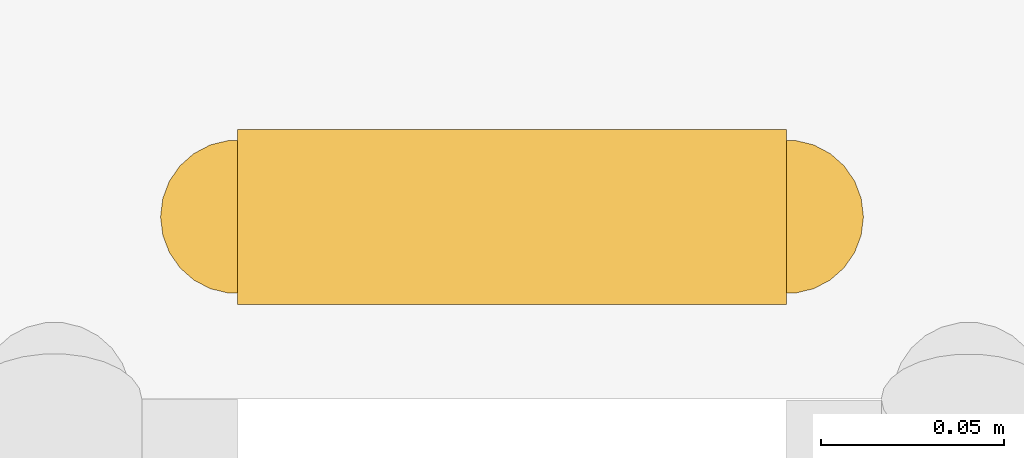
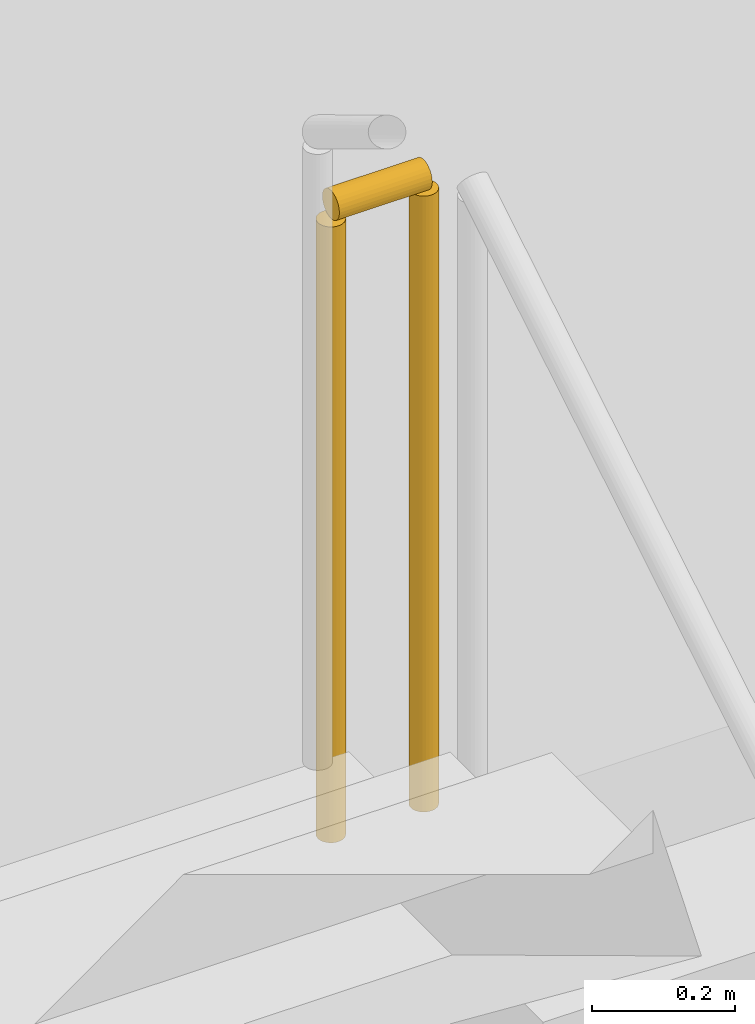
# One storey, part 40 of 42: 1 railing.
"""IFC4 building model written with IfcOpenShell, lengths in metres."""

from ifc_helpers import new_model, si_unit, direction, frame, origin, origin_2d, place, context, subcontext, project, spatial, circle, extrude, material, type_object, element, save


model = new_model("IFC4")

# Units and contexts
model_context = context("Model", 3, precision=1e-05, world=origin(), true_north=direction((0.0, 1.0)))
body_context = subcontext(model_context, "Body", "Model", "MODEL_VIEW")
ifc_project = project(units=[si_unit("LENGTHUNIT", "METRE"), si_unit("AREAUNIT", "SQUARE_METRE"), si_unit("VOLUMEUNIT", "CUBIC_METRE"), si_unit("PLANEANGLEUNIT", "RADIAN"), si_unit("MASSUNIT", "GRAM", prefix="KILO")], contexts=[model_context])

# Site, building, storey
site_placement = place(None, origin())
site = spatial("IfcSite", under=ifc_project, at=site_placement, CompositionType="ELEMENT")
building_placement = place(site_placement, origin())
building = spatial("IfcBuilding", under=site, at=building_placement, Name="Dhurran Vertical Campus", CompositionType="ELEMENT")
storey_placement = place(building_placement, frame((0.0, 0.0, 6.0)))
storey = spatial("IfcBuildingStorey", under=building, at=storey_placement, Name="L01", CompositionType="ELEMENT", Elevation=6.0)

# Railing
ifc_material = material(Name="Steel S355J2H", Category="steel")
railing_type = type_object("IfcRailingType", Name="hl-stair guard 1100", PredefinedType="GUARDRAIL", material=ifc_material)
railing_placement = place(storey_placement, frame((118.60009765625, -20.80810546875, 2.39990234375)))
element("IfcRailing", 1, at=railing_placement, inside=storey, type_object=railing_type, Name="L01 HST4 stair guard 2", PredefinedType="GUARDRAIL", context=body_context, shape_type="SweptSolid", body=[
    extrude(circle(Radius=0.02392578125, at=origin_2d()), frame((0.0, 0.0, 1.076171875), z_axis=(-1.0, 0.0, 0.0), x_axis=(0.0, -1.0, 0.0)), (0.0, 0.0, 1.0), 0.150146484375),
    extrude(circle(Radius=0.02099609375, at=origin_2d()), origin(), (0.0, 0.0, 1.0), 1.052001953125),
    extrude(circle(Radius=0.02099609375, at=origin_2d()), frame((-0.150146484375, 0.0, 0.0)), (0.0, 0.0, 1.0), 1.052001953125),
])

save(model, "model.ifc")
